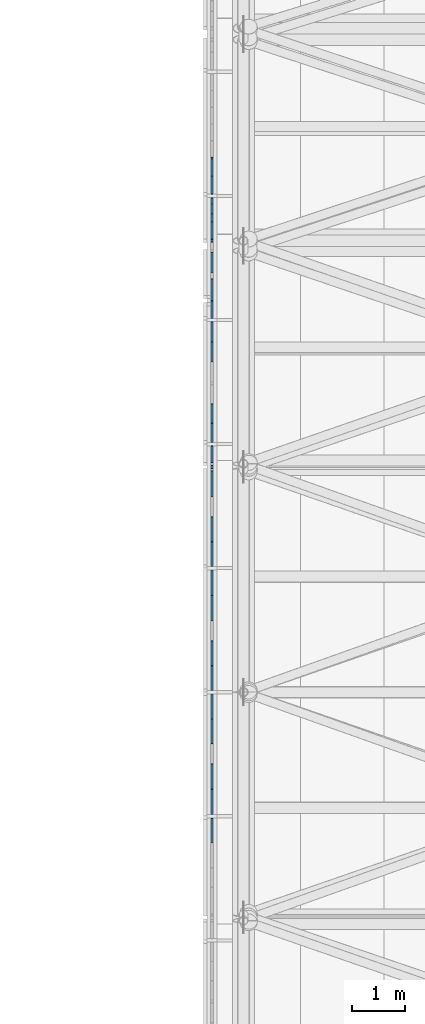
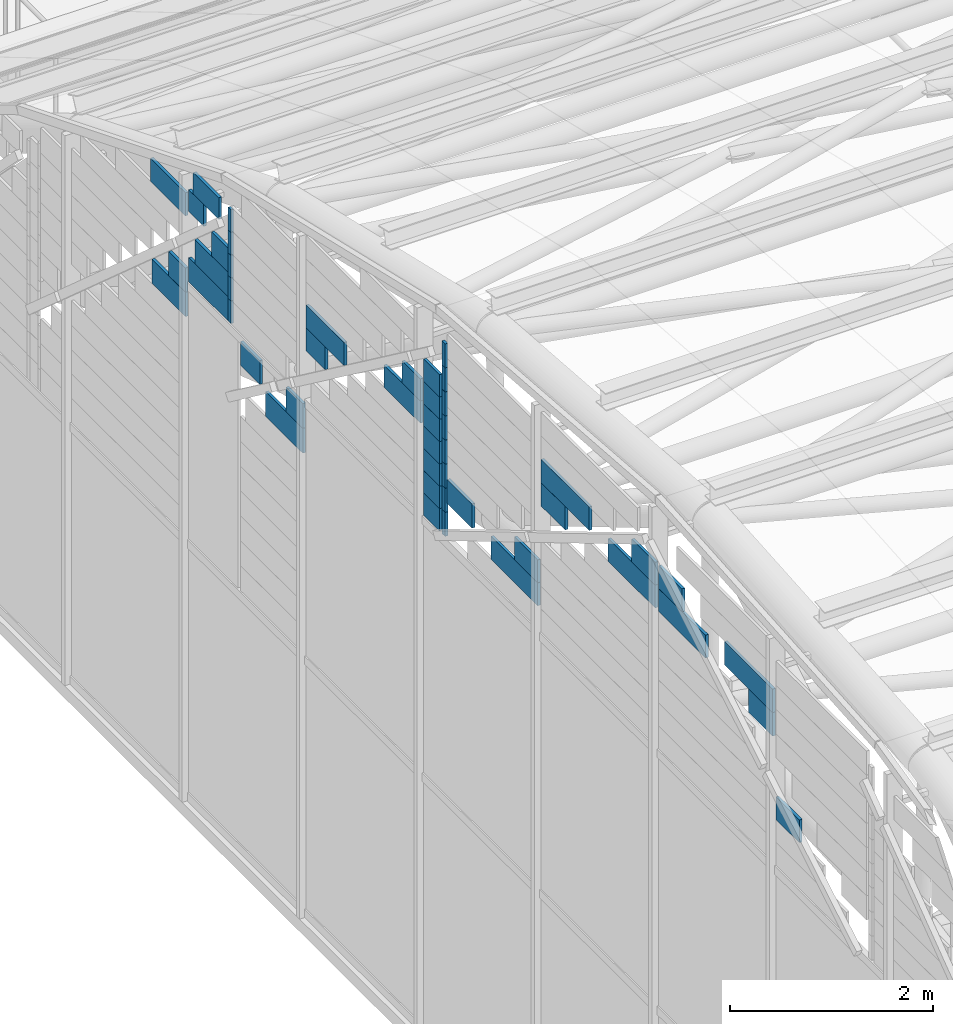
# One storey, part 72 of 110: 47 plates, 1 element without a shape of its own.
"""IFC4 building model written with IfcOpenShell, lengths in metres."""

from ifc_helpers import new_model, si_unit, direction, frame, origin, place, context, subcontext, project, spatial, polyline, outline, extrude, material, layer, layer_set, type_object, element, aggregate, save


model = new_model("IFC4")

# Units and contexts
model_context = context("Model", 3, precision=1e-05, world=origin(), true_north=direction((0.0, 1.0)))
body_context = subcontext(model_context, "Body", "Model", "MODEL_VIEW")
ifc_project = project(units=[si_unit("LENGTHUNIT", "METRE"), si_unit("AREAUNIT", "SQUARE_METRE"), si_unit("VOLUMEUNIT", "CUBIC_METRE"), si_unit("PLANEANGLEUNIT", "RADIAN"), si_unit("MASSUNIT", "GRAM", prefix="KILO")], contexts=[model_context])

# Site, building, storey
site_placement = place(None, origin())
site = spatial("IfcSite", under=ifc_project, at=site_placement, CompositionType="ELEMENT")
building_placement = place(site_placement, origin())
building = spatial("IfcBuilding", under=site, at=building_placement, Name="Windward Yard Aquatics Centre", CompositionType="ELEMENT")
storey_placement = place(building_placement, frame((0.0, 0.0, 22.60009765625)))
storey = spatial("IfcBuildingStorey", under=building, at=storey_placement, Name="L05", CompositionType="ELEMENT", Elevation=22.60009765625)

# Curtain wall, plates
ifc_material_1 = material(Name="Glass and aluminium curtain wall", Category="aluminium")
ifc_layer_1 = layer(ifc_material_1, 0.179931640625)
ifc_layer_set_1 = layer_set([ifc_layer_1], Name="H gable glazing system double glazed 8+16+8")
curtain_wall_type = type_object("IfcCurtainWallType", Name="H gable glazing system double glazed 8+16+8", PredefinedType="NOTDEFINED", material=ifc_layer_set_1)
curtain_wall_placement = place(storey_placement, origin())
curtain_wall = element("IfcCurtainWall", 1, at=curtain_wall_placement, inside=storey, type_object=curtain_wall_type, Name="Gable glazing W", PredefinedType="NOTDEFINED")
ifc_material_2 = material(Name="Low-iron glass", Category="glass")
ifc_layer_2 = layer(ifc_material_2, 0.008, Name="Outer pane")
ifc_material_3 = material(Name="Argon-filled cavity")
ifc_layer_3 = layer(ifc_material_3, 0.016, Name="Cavity")
ifc_layer_4 = layer(ifc_material_2, 0.008, Name="Inner pane")
ifc_layer_set_2 = layer_set([ifc_layer_2, ifc_layer_3, ifc_layer_4], Name="H gable glass low-e double glazed unit 32")
plate_type = type_object("IfcPlateType", Name="H gable glass low-e double glazed unit 32", PredefinedType="CURTAIN_PANEL", material=ifc_layer_set_2)
plate_1_placement = place(storey_placement, frame((59.426025390625, 58.184326171875, 6.80126953125), z_axis=(1.0, 0.0, 0.0), x_axis=(0.0, 1.0, 0.0)))
plate_1 = element("IfcPlate", 2, at=plate_1_placement, type_object=plate_type, Name="Gable panel 8.3c", PredefinedType="CURTAIN_PANEL", context=body_context, shape_type="SweptSolid", body=[
    extrude(outline(polyline([(0.0, 0.0), (0.463867, 0.0), (0.463867, 0.275146), (0.0, 0.275146), (0.0, 0.0)])), origin(), (0.0, 0.0, -1.0), 0.031982421875),
])
plate_2_placement = place(storey_placement, frame((59.426025390625, 60.039794921875, 7.904052734375), z_axis=(1.0, 0.0, 0.0), x_axis=(0.0, 1.0, 0.0)))
plate_2 = element("IfcPlate", 3, at=plate_2_placement, type_object=plate_type, Name="Gable panel 9.3g", PredefinedType="CURTAIN_PANEL", context=body_context, shape_type="SweptSolid", body=[
    extrude(outline(polyline([(0.0, 0.0), (0.927734, 0.0), (0.927734, 0.275391), (0.0, 0.275391), (0.0, 0.0)])), origin(), (0.0, 0.0, -1.0), 0.031982421875),
])
plate_3_placement = place(storey_placement, frame((59.426025390625, 60.50341796875, 8.1796875), z_axis=(1.0, 0.0, 0.0), x_axis=(0.0, 1.0, 0.0)))
plate_3 = element("IfcPlate", 4, at=plate_3_placement, type_object=plate_type, Name="Gable panel 9.3h", PredefinedType="CURTAIN_PANEL", context=body_context, shape_type="SweptSolid", body=[
    extrude(outline(polyline([(0.0, 0.0), (0.464111, 0.0), (0.464111, 0.275391), (0.0, 0.275391), (0.0, 0.0)])), origin(), (0.0, 0.0, -1.0), 0.031982421875),
])
plate_4_placement = place(storey_placement, frame((59.426025390625, 58.71337890625, 7.766845703125), z_axis=(1.0, 0.0, 0.0), x_axis=(0.0, 1.0, 0.0)))
plate_4 = element("IfcPlate", 5, at=plate_4_placement, type_object=plate_type, Name="Gable panel 9.3i", PredefinedType="CURTAIN_PANEL", context=body_context, shape_type="SweptSolid", body=[
    extrude(outline(polyline([(0.0, 0.0), (0.47583, 0.0), (0.47583, 0.282471), (0.0, 0.282471), (0.0, 0.0)])), origin(), (0.0, 0.0, -1.0), 0.031982421875),
])
plate_5_placement = place(storey_placement, frame((59.426025390625, 58.71337890625, 8.049560546875), z_axis=(1.0, 0.0, 0.0), x_axis=(0.0, 1.0, 0.0)))
plate_5 = element("IfcPlate", 6, at=plate_5_placement, type_object=plate_type, Name="Gable panel 9.3j", PredefinedType="CURTAIN_PANEL", context=body_context, shape_type="SweptSolid", body=[
    extrude(outline(polyline([(0.0, 0.0), (0.951416, 0.0), (0.951416, 0.282471), (0.0, 0.282471), (0.0, 0.0)])), origin(), (0.0, 0.0, -1.0), 0.031982421875),
])
plate_6_placement = place(storey_placement, frame((59.426025390625, 61.032470703125, 7.904052734375), z_axis=(1.0, 0.0, 0.0), x_axis=(0.0, 1.0, 0.0)))
plate_6 = element("IfcPlate", 7, at=plate_6_placement, type_object=plate_type, Name="Gable panel 10.3g", PredefinedType="CURTAIN_PANEL", context=body_context, shape_type="SweptSolid", body=[
    extrude(outline(polyline([(0.0, 0.0), (0.927734, 0.0), (0.927734, 0.275391), (0.0, 0.275391), (0.0, 0.0)])), origin(), (0.0, 0.0, -1.0), 0.031982421875),
])
plate_7_placement = place(storey_placement, frame((59.426025390625, 61.032470703125, 8.1796875), z_axis=(1.0, 0.0, 0.0), x_axis=(0.0, 1.0, 0.0)))
plate_7 = element("IfcPlate", 8, at=plate_7_placement, type_object=plate_type, Name="Gable panel 10.3h", PredefinedType="CURTAIN_PANEL", context=body_context, shape_type="SweptSolid", body=[
    extrude(outline(polyline([(0.0, 0.0), (0.464111, 0.0), (0.464111, 0.275391), (0.0, 0.275391), (0.0, 0.0)])), origin(), (0.0, 0.0, -1.0), 0.031982421875),
])
plate_8_placement = place(storey_placement, frame((59.426025390625, 62.810791015625, 7.766845703125), z_axis=(1.0, 0.0, 0.0), x_axis=(0.0, 1.0, 0.0)))
plate_8 = element("IfcPlate", 9, at=plate_8_placement, type_object=plate_type, Name="Gable panel 10.3i", PredefinedType="CURTAIN_PANEL", context=body_context, shape_type="SweptSolid", body=[
    extrude(outline(polyline([(0.0, 0.0), (0.47583, 0.0), (0.47583, 0.282471), (0.0, 0.282471), (0.0, 0.0)])), origin(), (0.0, 0.0, -1.0), 0.031982421875),
])
plate_9_placement = place(storey_placement, frame((59.426025390625, 62.335205078125, 8.049560546875), z_axis=(1.0, 0.0, 0.0), x_axis=(0.0, 1.0, 0.0)))
plate_9 = element("IfcPlate", 10, at=plate_9_placement, type_object=plate_type, Name="Gable panel 10.3j", PredefinedType="CURTAIN_PANEL", context=body_context, shape_type="SweptSolid", body=[
    extrude(outline(polyline([(0.0, 0.0), (0.951416, 0.0), (0.951416, 0.282471), (0.0, 0.282471), (0.0, 0.0)])), origin(), (0.0, 0.0, -1.0), 0.031982421875),
])
plate_10_placement = place(storey_placement, frame((59.426025390625, 65.29248046875, 6.25), z_axis=(1.0, 0.0, 0.0), x_axis=(0.0, 1.0, 0.0)))
plate_10 = element("IfcPlate", 11, at=plate_10_placement, type_object=plate_type, Name="Gable panel 11.3a", PredefinedType="CURTAIN_PANEL", context=body_context, shape_type="SweptSolid", body=[
    extrude(outline(polyline([(0.0, 0.0), (0.313477, 0.0), (0.313477, 0.268799), (0.0, 0.268799), (0.0, 0.0)])), origin(), (0.0, 0.0, -1.0), 0.031982421875),
])
plate_11_placement = place(storey_placement, frame((59.426025390625, 65.29248046875, 6.51904296875), z_axis=(1.0, 0.0, 0.0), x_axis=(0.0, 1.0, 0.0)))
plate_11 = element("IfcPlate", 12, at=plate_11_placement, type_object=plate_type, Name="Gable panel 11.3b", PredefinedType="CURTAIN_PANEL", context=body_context, shape_type="SweptSolid", body=[
    extrude(outline(polyline([(0.0, 0.0), (0.313477, 0.0), (0.313477, 0.268799), (0.0, 0.268799), (0.0, 0.0)])), origin(), (0.0, 0.0, -1.0), 0.031982421875),
])
plate_12_placement = place(storey_placement, frame((59.426025390625, 65.29248046875, 6.7880859375), z_axis=(1.0, 0.0, 0.0), x_axis=(0.0, 1.0, 0.0)))
plate_12 = element("IfcPlate", 13, at=plate_12_placement, type_object=plate_type, Name="Gable panel 11.3c", PredefinedType="CURTAIN_PANEL", context=body_context, shape_type="SweptSolid", body=[
    extrude(outline(polyline([(0.0, 0.0), (0.313477, 0.0), (0.313477, 0.268799), (0.0, 0.268799), (0.0, 0.0)])), origin(), (0.0, 0.0, -1.0), 0.031982421875),
])
plate_13_placement = place(storey_placement, frame((59.426025390625, 65.29248046875, 7.05712890625), z_axis=(1.0, 0.0, 0.0), x_axis=(0.0, 1.0, 0.0)))
plate_13 = element("IfcPlate", 14, at=plate_13_placement, type_object=plate_type, Name="Gable panel 11.3d", PredefinedType="CURTAIN_PANEL", context=body_context, shape_type="SweptSolid", body=[
    extrude(outline(polyline([(0.0, 0.0), (0.313477, 0.0), (0.313477, 0.268799), (0.0, 0.268799), (0.0, 0.0)])), origin(), (0.0, 0.0, -1.0), 0.031982421875),
])
plate_14_placement = place(storey_placement, frame((59.426025390625, 65.29248046875, 7.326171875), z_axis=(1.0, 0.0, 0.0), x_axis=(0.0, 1.0, 0.0)))
plate_14 = element("IfcPlate", 15, at=plate_14_placement, type_object=plate_type, Name="Gable panel 11.3e", PredefinedType="CURTAIN_PANEL", context=body_context, shape_type="SweptSolid", body=[
    extrude(outline(polyline([(0.0, 0.0), (0.313477, 0.0), (0.313477, 0.268799), (0.0, 0.268799), (0.0, 0.0)])), origin(), (0.0, 0.0, -1.0), 0.031982421875),
])
plate_15_placement = place(storey_placement, frame((59.426025390625, 65.29248046875, 7.59521484375), z_axis=(1.0, 0.0, 0.0), x_axis=(0.0, 1.0, 0.0)))
plate_15 = element("IfcPlate", 16, at=plate_15_placement, type_object=plate_type, Name="Gable panel 11.3f", PredefinedType="CURTAIN_PANEL", context=body_context, shape_type="SweptSolid", body=[
    extrude(outline(polyline([(0.0, 0.0), (0.313477, 0.0), (0.313477, 0.268799), (0.0, 0.268799), (0.0, 0.0)])), origin(), (0.0, 0.0, -1.0), 0.031982421875),
])
plate_16_placement = place(storey_placement, frame((59.426025390625, 65.29248046875, 7.8642578125), z_axis=(1.0, 0.0, 0.0), x_axis=(0.0, 1.0, 0.0)))
plate_16 = element("IfcPlate", 17, at=plate_16_placement, type_object=plate_type, Name="Gable panel 11.3g", PredefinedType="CURTAIN_PANEL", context=body_context, shape_type="SweptSolid", body=[
    extrude(outline(polyline([(0.0, 0.0), (0.313477, 0.0), (0.313477, 0.268799), (0.0, 0.268799), (0.0, 0.0)])), origin(), (0.0, 0.0, -1.0), 0.031982421875),
])
plate_17_placement = place(storey_placement, frame((59.426025390625, 65.180908203125, 6.25), z_axis=(1.0, 0.0, 0.0), x_axis=(0.0, 1.0, 0.0)))
plate_17 = element("IfcPlate", 18, at=plate_17_placement, type_object=plate_type, Name="Gable panel 11.3h", PredefinedType="CURTAIN_PANEL", context=body_context, shape_type="SweptSolid", body=[
    extrude(outline(polyline([(0.0, 0.0), (0.063721, 0.0), (0.063721, 0.290039), (0.0, 0.290039), (0.0, 0.0)])), origin(), (0.0, 0.0, -1.0), 0.031982421875),
])
plate_18_placement = place(storey_placement, frame((59.426025390625, 65.180908203125, 6.54052734375), z_axis=(1.0, 0.0, 0.0), x_axis=(0.0, 1.0, 0.0)))
plate_18 = element("IfcPlate", 19, at=plate_18_placement, type_object=plate_type, Name="Gable panel 11.3i", PredefinedType="CURTAIN_PANEL", context=body_context, shape_type="SweptSolid", body=[
    extrude(outline(polyline([(0.0, 0.0), (0.063721, 0.0), (0.063721, 0.289795), (0.0, 0.289795), (0.0, 0.0)])), origin(), (0.0, 0.0, -1.0), 0.031982421875),
])
plate_19_placement = place(storey_placement, frame((59.426025390625, 65.180908203125, 6.830810546875), z_axis=(1.0, 0.0, 0.0), x_axis=(0.0, 1.0, 0.0)))
plate_19 = element("IfcPlate", 20, at=plate_19_placement, type_object=plate_type, Name="Gable panel 11.3j", PredefinedType="CURTAIN_PANEL", context=body_context, shape_type="SweptSolid", body=[
    extrude(outline(polyline([(0.0, 0.0), (0.063721, 0.0), (0.063721, 0.289795), (0.0, 0.289795), (0.0, 0.0)])), origin(), (0.0, 0.0, -1.0), 0.031982421875),
])
plate_20_placement = place(storey_placement, frame((59.426025390625, 65.180908203125, 7.12109375), z_axis=(1.0, 0.0, 0.0), x_axis=(0.0, 1.0, 0.0)))
plate_20 = element("IfcPlate", 21, at=plate_20_placement, type_object=plate_type, Name="Gable panel 11.3k", PredefinedType="CURTAIN_PANEL", context=body_context, shape_type="SweptSolid", body=[
    extrude(outline(polyline([(0.0, 0.0), (0.063721, 0.0), (0.063721, 0.289795), (0.0, 0.289795), (0.0, 0.0)])), origin(), (0.0, 0.0, -1.0), 0.031982421875),
])
plate_21_placement = place(storey_placement, frame((59.426025390625, 65.180908203125, 7.411376953125), z_axis=(1.0, 0.0, 0.0), x_axis=(0.0, 1.0, 0.0)))
plate_21 = element("IfcPlate", 22, at=plate_21_placement, type_object=plate_type, Name="Gable panel 11.3l", PredefinedType="CURTAIN_PANEL", context=body_context, shape_type="SweptSolid", body=[
    extrude(outline(polyline([(0.0, 0.0), (0.063721, 0.0), (0.063721, 0.289795), (0.0, 0.289795), (0.0, 0.0)])), origin(), (0.0, 0.0, -1.0), 0.031982421875),
])
plate_22_placement = place(storey_placement, frame((59.426025390625, 65.180908203125, 7.70166015625), z_axis=(1.0, 0.0, 0.0), x_axis=(0.0, 1.0, 0.0)))
plate_22 = element("IfcPlate", 23, at=plate_22_placement, type_object=plate_type, Name="Gable panel 11.3m", PredefinedType="CURTAIN_PANEL", context=body_context, shape_type="SweptSolid", body=[
    extrude(outline(polyline([(0.0, 0.0), (0.063721, 0.0), (0.063721, 0.289795), (0.0, 0.289795), (0.0, 0.0)])), origin(), (0.0, 0.0, -1.0), 0.031982421875),
])
plate_23_placement = place(storey_placement, frame((59.426025390625, 65.180908203125, 7.991943359375), z_axis=(1.0, 0.0, 0.0), x_axis=(0.0, 1.0, 0.0)))
plate_23 = element("IfcPlate", 24, at=plate_23_placement, type_object=plate_type, Name="Gable panel 11.3n", PredefinedType="CURTAIN_PANEL", context=body_context, shape_type="SweptSolid", body=[
    extrude(outline(polyline([(0.0, 0.0), (0.063721, 0.0), (0.063721, 0.289795), (0.0, 0.289795), (0.0, 0.0)])), origin(), (0.0, 0.0, -1.0), 0.031982421875),
])
plate_24_placement = place(storey_placement, frame((59.426025390625, 65.180908203125, 8.2822265625), z_axis=(1.0, 0.0, 0.0), x_axis=(0.0, 1.0, 0.0)))
plate_24 = element("IfcPlate", 25, at=plate_24_placement, type_object=plate_type, Name="Gable panel 11.3o", PredefinedType="CURTAIN_PANEL", context=body_context, shape_type="SweptSolid", body=[
    extrude(outline(polyline([(0.0, 0.0), (0.063721, 0.0), (0.063721, 0.290039), (0.0, 0.290039), (0.0, 0.0)])), origin(), (0.0, 0.0, -1.0), 0.031982421875),
])
plate_25_placement = place(storey_placement, frame((59.426025390625, 63.351806640625, 6.525634765625), z_axis=(1.0, 0.0, 0.0), x_axis=(0.0, 1.0, 0.0)))
plate_25 = element("IfcPlate", 26, at=plate_25_placement, type_object=plate_type, Name="Gable panel 11.3q", PredefinedType="CURTAIN_PANEL", context=body_context, shape_type="SweptSolid", body=[
    extrude(outline(polyline([(0.0, 0.0), (0.92749, 0.0), (0.92749, 0.275146), (0.0, 0.275146), (0.0, 0.0)])), origin(), (0.0, 0.0, -1.0), 0.031982421875),
])
plate_26_placement = place(storey_placement, frame((59.426025390625, 63.351806640625, 6.80126953125), z_axis=(1.0, 0.0, 0.0), x_axis=(0.0, 1.0, 0.0)))
plate_26 = element("IfcPlate", 27, at=plate_26_placement, type_object=plate_type, Name="Gable panel 11.3r", PredefinedType="CURTAIN_PANEL", context=body_context, shape_type="SweptSolid", body=[
    extrude(outline(polyline([(0.0, 0.0), (0.463867, 0.0), (0.463867, 0.275146), (0.0, 0.275146), (0.0, 0.0)])), origin(), (0.0, 0.0, -1.0), 0.031982421875),
])
plate_27_placement = place(storey_placement, frame((59.426025390625, 64.64990234375, 6.673583984375), z_axis=(1.0, 0.0, 0.0), x_axis=(0.0, 1.0, 0.0)))
plate_27 = element("IfcPlate", 28, at=plate_27_placement, type_object=plate_type, Name="Gable panel 11.3s", PredefinedType="CURTAIN_PANEL", context=body_context, shape_type="SweptSolid", body=[
    extrude(outline(polyline([(0.0, 0.0), (0.490234, 0.0), (0.490234, 0.290771), (0.0, 0.290771), (0.0, 0.0)])), origin(), (0.0, 0.0, -1.0), 0.031982421875),
])
plate_28_placement = place(storey_placement, frame((59.426025390625, 65.6708984375, 7.319091796875), z_axis=(1.0, 0.0, 0.0), x_axis=(0.0, 1.0, 0.0)))
plate_28 = element("IfcPlate", 29, at=plate_28_placement, type_object=plate_type, Name="Gable panel 12.3e", PredefinedType="CURTAIN_PANEL", context=body_context, shape_type="SweptSolid", body=[
    extrude(outline(polyline([(0.0, 0.0), (0.718994, 0.0), (0.718994, 0.266846), (0.0, 0.266846), (0.0, 0.0)])), origin(), (0.0, 0.0, -1.0), 0.031982421875),
])
plate_29_placement = place(storey_placement, frame((59.426025390625, 65.6708984375, 7.58642578125), z_axis=(1.0, 0.0, 0.0), x_axis=(0.0, 1.0, 0.0)))
plate_29 = element("IfcPlate", 30, at=plate_29_placement, type_object=plate_type, Name="Gable panel 12.3f", PredefinedType="CURTAIN_PANEL", context=body_context, shape_type="SweptSolid", body=[
    extrude(outline(polyline([(0.0, 0.0), (0.359619, 0.0), (0.359619, 0.266846), (0.0, 0.266846), (0.0, 0.0)])), origin(), (0.0, 0.0, -1.0), 0.031982421875),
])
plate_30_placement = place(storey_placement, frame((59.426025390625, 67.550537109375, 6.822509765625), z_axis=(1.0, 0.0, 0.0), x_axis=(0.0, 1.0, 0.0)))
plate_30 = element("IfcPlate", 31, at=plate_30_placement, type_object=plate_type, Name="Gable panel 12.3g", PredefinedType="CURTAIN_PANEL", context=body_context, shape_type="SweptSolid", body=[
    extrude(outline(polyline([(0.0, 0.0), (0.374756, 0.0), (0.374756, 0.277832), (0.0, 0.277832), (0.0, 0.0)])), origin(), (0.0, 0.0, -1.0), 0.031982421875),
])
plate_31_placement = place(storey_placement, frame((59.426025390625, 67.17626953125, 7.100830078125), z_axis=(1.0, 0.0, 0.0), x_axis=(0.0, 1.0, 0.0)))
plate_31 = element("IfcPlate", 32, at=plate_31_placement, type_object=plate_type, Name="Gable panel 12.3h", PredefinedType="CURTAIN_PANEL", context=body_context, shape_type="SweptSolid", body=[
    extrude(outline(polyline([(0.0, 0.0), (0.749023, 0.0), (0.749023, 0.278076), (0.0, 0.278076), (0.0, 0.0)])), origin(), (0.0, 0.0, -1.0), 0.031982421875),
])
plate_32_placement = place(storey_placement, frame((59.426025390625, 67.990234375, 5.550048828125), z_axis=(1.0, 0.0, 0.0), x_axis=(0.0, 1.0, 0.0)))
plate_32 = element("IfcPlate", 33, at=plate_32_placement, type_object=plate_type, Name="Gable panel 13.2j", PredefinedType="CURTAIN_PANEL", context=body_context, shape_type="SweptSolid", body=[
    extrude(outline(polyline([(0.0, 0.0), (0.734131, 0.0), (0.734131, 0.299561), (0.0, 0.299561), (0.0, 0.0)])), origin(), (0.0, 0.0, -1.0), 0.031982421875),
])
plate_33_placement = place(storey_placement, frame((59.426025390625, 67.990234375, 5.85009765625), z_axis=(1.0, 0.0, 0.0), x_axis=(0.0, 1.0, 0.0)))
plate_33 = element("IfcPlate", 34, at=plate_33_placement, type_object=plate_type, Name="Gable panel 13.2k", PredefinedType="CURTAIN_PANEL", context=body_context, shape_type="SweptSolid", body=[
    extrude(outline(polyline([(0.0, 0.0), (0.330566, 0.0), (0.330566, 0.299805), (0.0, 0.299805), (0.0, 0.0)])), origin(), (0.0, 0.0, -1.0), 0.031982421875),
])
plate_34_placement = place(storey_placement, frame((59.426025390625, 68.840087890625, 5.86328125), z_axis=(1.0, 0.0, 0.0), x_axis=(0.0, 1.0, 0.0)))
plate_34 = element("IfcPlate", 35, at=plate_34_placement, type_object=plate_type, Name="Gable panel 13.2l", PredefinedType="CURTAIN_PANEL", context=body_context, shape_type="SweptSolid", body=[
    extrude(outline(polyline([(0.0, 0.0), (0.385742, 0.0), (0.385742, 0.286621), (0.0, 0.286621), (0.0, 0.0)])), origin(), (0.0, 0.0, -1.0), 0.031982421875),
])
plate_35_placement = place(storey_placement, frame((59.426025390625, 69.4638671875, 6.25), z_axis=(1.0, 0.0, 0.0), x_axis=(0.0, 1.0, 0.0)))
plate_35 = element("IfcPlate", 36, at=plate_35_placement, type_object=plate_type, Name="Gable panel 13.3a", PredefinedType="CURTAIN_PANEL", context=body_context, shape_type="SweptSolid", body=[
    extrude(outline(polyline([(0.0, 0.0), (0.780518, 0.0), (0.780518, 0.292236), (0.0, 0.292236), (0.0, 0.0)])), origin(), (0.0, 0.0, -1.0), 0.031982421875),
])
plate_36_placement = place(storey_placement, frame((59.426025390625, 69.4638671875, 6.542724609375), z_axis=(1.0, 0.0, 0.0), x_axis=(0.0, 1.0, 0.0)))
plate_36 = element("IfcPlate", 37, at=plate_36_placement, type_object=plate_type, Name="Gable panel 13.3b", PredefinedType="CURTAIN_PANEL", context=body_context, shape_type="SweptSolid", body=[
    extrude(outline(polyline([(0.0, 0.0), (0.660889, 0.0), (0.660889, 0.291992), (0.0, 0.291992), (0.0, 0.0)])), origin(), (0.0, 0.0, -1.0), 0.031982421875),
])
plate_37_placement = place(storey_placement, frame((59.426025390625, 69.4638671875, 6.835205078125), z_axis=(1.0, 0.0, 0.0), x_axis=(0.0, 1.0, 0.0)))
plate_37 = element("IfcPlate", 38, at=plate_37_placement, type_object=plate_type, Name="Gable panel 13.3c", PredefinedType="CURTAIN_PANEL", context=body_context, shape_type="SweptSolid", body=[
    extrude(outline(polyline([(0.0, 0.0), (0.330566, 0.0), (0.330566, 0.291992), (0.0, 0.291992), (0.0, 0.0)])), origin(), (0.0, 0.0, -1.0), 0.031982421875),
])
plate_38_placement = place(storey_placement, frame((59.426025390625, 69.410888671875, 6.25), z_axis=(1.0, 0.0, 0.0), x_axis=(0.0, 1.0, 0.0)))
plate_38 = element("IfcPlate", 39, at=plate_38_placement, type_object=plate_type, Name="Gable panel 13.3d", PredefinedType="CURTAIN_PANEL", context=body_context, shape_type="SweptSolid", body=[
    extrude(outline(polyline([(0.0, 0.0), (0.052979, 0.0), (0.052979, 0.274414), (0.0, 0.274414), (0.0, 0.0)])), origin(), (0.0, 0.0, -1.0), 0.031982421875),
])
plate_39_placement = place(storey_placement, frame((59.426025390625, 69.410888671875, 6.52490234375), z_axis=(1.0, 0.0, 0.0), x_axis=(0.0, 1.0, 0.0)))
plate_39 = element("IfcPlate", 40, at=plate_39_placement, type_object=plate_type, Name="Gable panel 13.3e", PredefinedType="CURTAIN_PANEL", context=body_context, shape_type="SweptSolid", body=[
    extrude(outline(polyline([(0.0, 0.0), (0.052979, 0.0), (0.052979, 0.274414), (0.0, 0.274414), (0.0, 0.0)])), origin(), (0.0, 0.0, -1.0), 0.031982421875),
])
plate_40_placement = place(storey_placement, frame((59.426025390625, 69.410888671875, 6.799560546875), z_axis=(1.0, 0.0, 0.0), x_axis=(0.0, 1.0, 0.0)))
plate_40 = element("IfcPlate", 41, at=plate_40_placement, type_object=plate_type, Name="Gable panel 13.3f", PredefinedType="CURTAIN_PANEL", context=body_context, shape_type="SweptSolid", body=[
    extrude(outline(polyline([(0.0, 0.0), (0.052979, 0.0), (0.052979, 0.274414), (0.0, 0.274414), (0.0, 0.0)])), origin(), (0.0, 0.0, -1.0), 0.031982421875),
])
plate_41_placement = place(storey_placement, frame((59.426025390625, 69.410888671875, 7.074462890625), z_axis=(1.0, 0.0, 0.0), x_axis=(0.0, 1.0, 0.0)))
plate_41 = element("IfcPlate", 42, at=plate_41_placement, type_object=plate_type, Name="Gable panel 13.3g", PredefinedType="CURTAIN_PANEL", context=body_context, shape_type="SweptSolid", body=[
    extrude(outline(polyline([(0.0, 0.0), (0.052979, 0.0), (0.052979, 0.27417), (0.0, 0.27417), (0.0, 0.0)])), origin(), (0.0, 0.0, -1.0), 0.031982421875),
])
plate_42_placement = place(storey_placement, frame((59.426025390625, 69.410888671875, 7.34912109375), z_axis=(1.0, 0.0, 0.0), x_axis=(0.0, 1.0, 0.0)))
plate_42 = element("IfcPlate", 43, at=plate_42_placement, type_object=plate_type, Name="Gable panel 13.3h", PredefinedType="CURTAIN_PANEL", context=body_context, shape_type="SweptSolid", body=[
    extrude(outline(polyline([(0.0, 0.0), (0.052979, 0.0), (0.052979, 0.274414), (0.0, 0.274414), (0.0, 0.0)])), origin(), (0.0, 0.0, -1.0), 0.031982421875),
])
plate_43_placement = place(storey_placement, frame((59.426025390625, 69.94775390625, 7.098388671875), z_axis=(1.0, 0.0, 0.0), x_axis=(0.0, 1.0, 0.0)))
plate_43 = element("IfcPlate", 44, at=plate_43_placement, type_object=plate_type, Name="Gable panel 13.3i", PredefinedType="CURTAIN_PANEL", context=body_context, shape_type="SweptSolid", body=[
    extrude(outline(polyline([(0.0, 0.0), (0.296631, 0.0), (0.296631, 0.262207), (0.0, 0.262207), (0.0, 0.0)])), origin(), (0.0, 0.0, -1.0), 0.031982421875),
])
plate_44_placement = place(storey_placement, frame((59.426025390625, 69.651123046875, 7.36083984375), z_axis=(1.0, 0.0, 0.0), x_axis=(0.0, 1.0, 0.0)))
plate_44 = element("IfcPlate", 45, at=plate_44_placement, type_object=plate_type, Name="Gable panel 13.3j", PredefinedType="CURTAIN_PANEL", context=body_context, shape_type="SweptSolid", body=[
    extrude(outline(polyline([(0.0, 0.0), (0.504395, 0.0), (0.504395, 0.262451), (0.0, 0.262451), (0.0, 0.0)])), origin(), (0.0, 0.0, -1.0), 0.031982421875),
])
plate_45_placement = place(storey_placement, frame((59.426025390625, 70.309326171875, 5.791015625), z_axis=(1.0, 0.0, 0.0), x_axis=(0.0, 1.0, 0.0)))
plate_45 = element("IfcPlate", 46, at=plate_45_placement, type_object=plate_type, Name="Gable panel 14.2j", PredefinedType="CURTAIN_PANEL", context=body_context, shape_type="SweptSolid", body=[
    extrude(outline(polyline([(0.0, 0.0), (0.662842, 0.0), (0.662842, 0.292969), (0.0, 0.292969), (0.0, 0.0)])), origin(), (0.0, 0.0, -1.0), 0.031982421875),
])
plate_46_placement = place(storey_placement, frame((59.426025390625, 70.309326171875, 6.08447265625), z_axis=(1.0, 0.0, 0.0), x_axis=(0.0, 1.0, 0.0)))
plate_46 = element("IfcPlate", 47, at=plate_46_placement, type_object=plate_type, Name="Gable panel 14.2k", PredefinedType="CURTAIN_PANEL", context=body_context, shape_type="SweptSolid", body=[
    extrude(outline(polyline([(0.0, 0.0), (0.331543, 0.0), (0.331543, 0.292969), (0.0, 0.292969), (0.0, 0.0)])), origin(), (0.0, 0.0, -1.0), 0.031982421875),
])
plate_47_placement = place(storey_placement, frame((59.426025390625, 70.309326171875, 7.005615234375), z_axis=(1.0, 0.0, 0.0), x_axis=(0.0, 1.0, 0.0)))
plate_47 = element("IfcPlate", 48, at=plate_47_placement, type_object=plate_type, Name="Gable panel 14.2s", PredefinedType="CURTAIN_PANEL", context=body_context, shape_type="SweptSolid", body=[
    extrude(outline(polyline([(0.0, 0.0), (0.692383, 0.0), (0.692383, 0.277588), (0.0, 0.277588), (0.0, 0.0)])), origin(), (0.0, 0.0, -1.0), 0.031982421875),
])
aggregate(curtain_wall, [plate_1, plate_2, plate_3, plate_4, plate_5, plate_6, plate_7, plate_8, plate_9, plate_10, plate_11, plate_12, plate_13, plate_14, plate_15, plate_16, plate_17, plate_18, plate_19, plate_20, plate_21, plate_22, plate_23, plate_24, plate_25, plate_26, plate_27, plate_28, plate_29, plate_30, plate_31, plate_32, plate_33, plate_34, plate_35, plate_36, plate_37, plate_38, plate_39, plate_40, plate_41, plate_42, plate_43, plate_44, plate_45, plate_46, plate_47])

save(model, "model.ifc")
